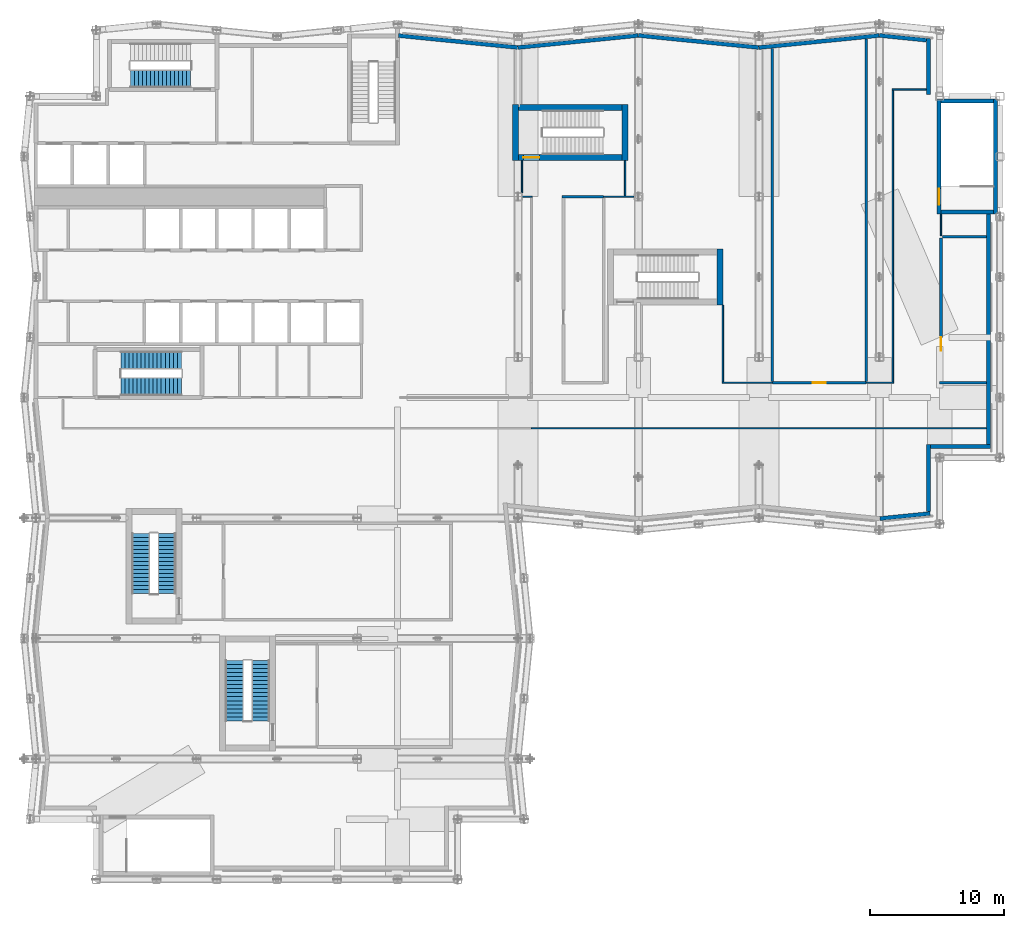
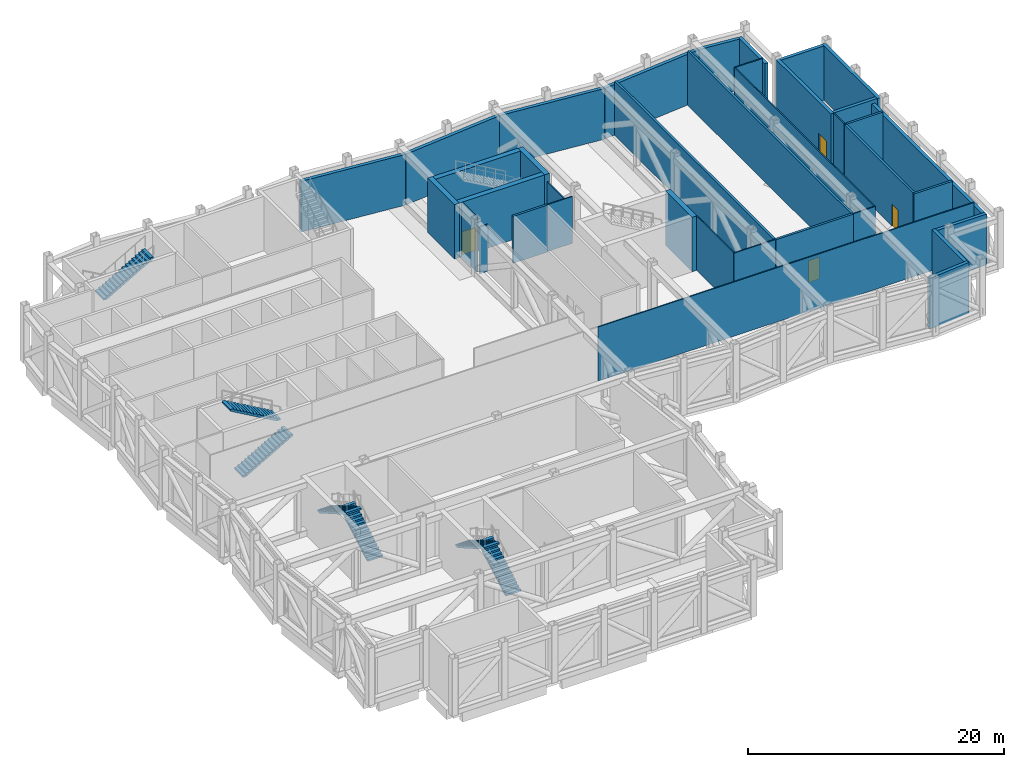
# One storey, part 12 of 22: 37 walls, 7 stair flights, 4 doors, 4 openings, 4 elements without a shape of their own.
"""IFC4 building model written with IfcOpenShell, lengths in metres."""

from ifc_helpers import new_model, si_unit, direction, frame, frame_2d, origin, place, context, subcontext, project, spatial, polyline, rectangle, outline, extrude, material, layer, layer_set, type_object, element, fill, aggregate, save


model = new_model("IFC4")

# Units and contexts
model_context = context("Model", 3, precision=1e-05, world=origin(), true_north=direction((0.0, 1.0)))
body_context = subcontext(model_context, "Body", "Model", "MODEL_VIEW")
ifc_project = project(units=[si_unit("LENGTHUNIT", "METRE"), si_unit("AREAUNIT", "SQUARE_METRE"), si_unit("VOLUMEUNIT", "CUBIC_METRE"), si_unit("PLANEANGLEUNIT", "RADIAN"), si_unit("MASSUNIT", "GRAM", prefix="KILO")], contexts=[model_context])

# Site, building, storey
site_placement = place(None, origin())
site = spatial("IfcSite", under=ifc_project, at=site_placement, CompositionType="ELEMENT")
building_placement = place(site_placement, origin())
building = spatial("IfcBuilding", under=site, at=building_placement, Name="Brondeck Convention Tower", CompositionType="ELEMENT")
storey_placement = place(building_placement, frame((0.0, 0.0, 32.0)))
storey = spatial("IfcBuildingStorey", under=building, at=storey_placement, Name="L05", CompositionType="ELEMENT", Elevation=32.0)

# Walls
ifc_material_1 = material(Name="Precast concrete C50/60 bronze finish", Category="concrete")
ifc_layer_1 = layer(ifc_material_1, 0.070068359375, Name="Bronze precast facing")
ifc_material_2 = material(Name="Mineral wool")
ifc_layer_2 = layer(ifc_material_2, 0.159912109375, Name="Insulation")
ifc_material_3 = material(Name="Concrete C35/45", Category="concrete")
ifc_layer_3 = layer(ifc_material_3, 0.070068359375, Name="Backing")
ifc_layer_set_1 = layer_set([ifc_layer_1, ifc_layer_2, ifc_layer_3], Name="External infill wall, precast concrete C50/60 bronze facing")
wall_type_1 = type_object("IfcWallType", Name="External infill wall, precast concrete C50/60 bronze facing", PredefinedType="SOLIDWALL", material=ifc_layer_set_1)
wall_1_placement = place(storey_placement, frame((66.78515625, 27.332763671875, 0.0), z_axis=(0.0, 0.0, 1.0), x_axis=(-0.995038471088, -0.099490909409, 0.0)))
element("IfcWall", 1, at=wall_1_placement, inside=storey, type_object=wall_type_1, Name="ENV-EW-L05-P0-A-S-06", PredefinedType="SOLIDWALL", context=body_context, shape_type="SweptSolid", body=[
    extrude(rectangle(XDim=3.774169921875, YDim=0.300048828125, at=frame_2d((1.88720703125, 0.0))), origin(), (0.0, 0.0, 1.0), 4.85009765625),
])
wall_2_placement = place(storey_placement, frame((66.64990234375, 32.5, 0.0), z_axis=(0.0, 0.0, 1.0), x_axis=(0.0, -1.0, 0.0)))
element("IfcWall", 2, at=wall_2_placement, inside=storey, type_object=wall_type_1, Name="ENV-EW-L05-P0-NC-SEA72-01", PredefinedType="SOLIDWALL", context=body_context, shape_type="SweptSolid", body=[
    extrude(rectangle(XDim=5.02880859375, YDim=0.300048828125, at=frame_2d((2.514404296875, 0.0))), origin(), (0.0, 0.0, 1.0), 4.85009765625),
])
wall_3_placement = place(storey_placement, frame((71.300048828125, 32.35009765625, 0.0), z_axis=(0.0, 0.0, 1.0), x_axis=(-1.0, 0.0, 0.0)))
element("IfcWall", 3, at=wall_3_placement, inside=storey, type_object=wall_type_1, Name="ENV-EW-L05-P0-NC-SEA72-02", PredefinedType="SOLIDWALL", context=body_context, shape_type="SweptSolid", body=[
    extrude(rectangle(XDim=4.5, YDim=0.300048828125, at=frame_2d((2.25, 0.0))), origin(), (0.0, 0.0, 1.0), 4.85009765625),
])
wall_4_placement = place(storey_placement, frame((71.14990234375, 49.699951171875, 0.0), z_axis=(0.0, 0.0, 1.0), x_axis=(0.0, -1.0, 0.0)))
element("IfcWall", 4, at=wall_4_placement, inside=storey, type_object=wall_type_1, Name="ENV-EW-L05-P0-A-E72-01", PredefinedType="SOLIDWALL", context=body_context, shape_type="SweptSolid", body=[
    extrude(rectangle(XDim=17.201904296875, YDim=0.300048828125, at=frame_2d((8.60107421875, 0.0))), origin(), (0.0, 0.0, 1.0), 4.85009765625),
])
wall_5_placement = place(storey_placement, frame((66.64990234375, 62.81640625, 0.0), z_axis=(0.0, 0.0, 1.0), x_axis=(0.0, -1.0, 0.0)))
element("IfcWall", 5, at=wall_5_placement, inside=storey, type_object=wall_type_1, Name="ENV-EW-L05-P0-NC-NEA72-02", PredefinedType="SOLIDWALL", context=body_context, shape_type="SweptSolid", body=[
    extrude(rectangle(XDim=4.16650390625, YDim=0.300048828125, at=frame_2d((2.083251953125, 0.0))), origin(), (0.0, 0.0, 1.0), 4.85009765625),
])
wall_6_placement = place(storey_placement, frame((62.985107421875, 63.04736328125, 0.0), z_axis=(0.0, 0.0, 1.0), x_axis=(0.995031712439, -0.099558481511, 0.0)))
element("IfcWall", 6, at=wall_6_placement, inside=storey, type_object=wall_type_1, Name="ENV-EW-L05-P0-A-N-14", PredefinedType="SOLIDWALL", context=body_context, shape_type="SweptSolid", body=[
    extrude(rectangle(XDim=3.53125, YDim=0.300048828125, at=frame_2d((1.765625, 0.0))), origin(), (0.0, 0.0, 1.0), 4.85009765625),
])
for number, where, z_axis, x_axis, name in (
    (7, (53.985107421875, 62.144287109375, 0.0), (0.0, 0.0, 1.0), (0.995037993253, 0.099495688264, 0.0), "ENV-EW-L05-P0-A-N-13"),
    (8, (44.985107421875, 63.04736328125, 0.0), (0.0, 0.0, 1.0), (0.995035316196, -0.099522457379, 0.0), "ENV-EW-L05-P0-A-N-11"),
    (9, (35.985107421875, 62.144287109375, 0.0), (0.0, 0.0, 1.0), (0.995037993253, 0.099495688264, 0.0), "ENV-EW-L05-P0-A-N-09"),
):
    element("IfcWall", number, at=place(storey_placement, frame(where, z_axis=z_axis, x_axis=x_axis)), inside=storey, type_object=wall_type_1, Name=name, PredefinedType="SOLIDWALL", context=body_context, shape_type="SweptSolid", body=[
        extrude(rectangle(XDim=9.030029296875, YDim=0.300048828125, at=frame_2d((4.51513671875, 0.0))), origin(), (0.0, 0.0, 1.0), 4.85009765625),
    ])
wall_7_placement = place(storey_placement, frame((27.064697265625, 63.039306640625, 0.0), z_axis=(0.0, 0.0, 1.0), x_axis=(0.995036379926, -0.099511821531, 0.0)))
element("IfcWall", 10, at=wall_7_placement, inside=storey, type_object=wall_type_1, Name="ENV-EW-L05-P0-A-N-07", PredefinedType="SOLIDWALL", context=body_context, shape_type="SweptSolid", body=[
    extrude(rectangle(XDim=8.949951171875, YDim=0.300048828125, at=frame_2d((4.47509765625, 0.0))), origin(), (0.0, 0.0, 1.0), 4.85009765625),
])

# Wall, opening, door
ifc_material_4 = material(Name="Concrete block wall C16/20", Category="concrete")
ifc_layer_4 = layer(ifc_material_4, 0.199951171875)
ifc_layer_set_2 = layer_set([ifc_layer_4], Name="Plant room wall 200")
wall_type_2 = type_object("IfcWallType", Name="Plant room wall 200", PredefinedType="PARTITIONING", material=ifc_layer_set_2)
wall_8_placement = place(storey_placement, frame((55.0, 37.10009765625, 0.0), z_axis=(0.0, 0.0, 1.0), x_axis=(1.0, 0.0, 0.0)))
wall_8 = element("IfcWall", 11, at=wall_8_placement, inside=storey, type_object=wall_type_2, Name="FLR-L05-W022", PredefinedType="PARTITIONING", context=body_context, shape_type="SweptSolid", body=[
    extrude(rectangle(XDim=7.0, YDim=0.199951171875, at=frame_2d((3.5, 0.0))), origin(), (0.0, 0.0, 1.0), 5.179931640625),
])
opening_1_placement = place(wall_8_placement, frame((3.0, 0.0, 0.0)))
opening_1 = element("IfcOpeningElement", 12, at=opening_1_placement, cuts=wall_8, Name="Opening P-L05-002", PredefinedType="OPENING", context=body_context, shape_type="SweptSolid", body=[
    extrude(rectangle(XDim=1.0, YDim=2.10009765625, at=frame_2d((0.5, 1.050048828125))), frame((0.0, 0.10986328125, 0.0), z_axis=(0.0, -1.0, 0.0), x_axis=(1.0, 0.0, 0.0)), (0.0, 0.0, 1.0), 0.219970703125),
])
ifc_material_5 = material(Name="Steel fire door leaf", Category="steel")
door_type_1 = type_object("IfcDoorType", Name="Plant room door 1000", OperationType="NOTDEFINED", PredefinedType="DOOR", material=ifc_material_5)
door_1_placement = place(opening_1_placement, origin())
door_1 = element("IfcDoor", 13, at=door_1_placement, inside=storey, type_object=door_type_1, Name="Door P-L05-002", OperationType="SINGLE_SWING_LEFT", OverallHeight=2.10009765625, OverallWidth=1.0, PredefinedType="DOOR", context=body_context, shape_type="SweptSolid", body=[
    extrude(rectangle(XDim=1.0, YDim=2.10009765625, at=frame_2d((0.5, 1.050048828125))), frame((0.0, 0.02490234375, 0.0), z_axis=(0.0, -1.0, 0.0), x_axis=(1.0, 0.0, 0.0)), (0.0, 0.0, 1.0), 0.050048828125),
])
fill(opening_1, door_1)

# Walls
wall_9_placement = place(storey_placement, frame((67.5, 37.10009765625, 0.0), z_axis=(0.0, 0.0, 1.0), x_axis=(1.0, 0.0, 0.0)))
element("IfcWall", 14, at=wall_9_placement, inside=storey, type_object=wall_type_2, Name="FLR-L05-W024", PredefinedType="PARTITIONING", context=body_context, shape_type="SweptSolid", body=[
    extrude(rectangle(XDim=3.47998046875, YDim=0.199951171875, at=frame_2d((1.739990234375, 0.0))), origin(), (0.0, 0.0, 1.0), 5.179931640625),
])
wall_10_placement = place(storey_placement, frame((55.0, 37.199951171875, 0.0), z_axis=(0.0, 0.0, 1.0), x_axis=(0.0, 1.0, 0.0)))
element("IfcWall", 15, at=wall_10_placement, inside=storey, type_object=wall_type_2, Name="FLR-L05-W027", PredefinedType="PARTITIONING", context=body_context, shape_type="SweptSolid", body=[
    extrude(rectangle(XDim=24.875, YDim=0.199951171875, at=frame_2d((12.4375, 0.0))), origin(), (0.0, 0.0, 1.0), 5.179931640625),
])

# Wall, opening, door
wall_11_placement = place(storey_placement, frame((67.60009765625, 47.89990234375, 0.0), z_axis=(0.0, 0.0, 1.0), x_axis=(0.0, -1.0, 0.0)))
wall_11 = element("IfcWall", 16, at=wall_11_placement, inside=storey, type_object=wall_type_2, Name="FLR-L05-W029", PredefinedType="PARTITIONING", context=body_context, shape_type="SweptSolid", body=[
    extrude(rectangle(XDim=10.699951171875, YDim=0.199951171875, at=frame_2d((5.35009765625, 0.0))), origin(), (0.0, 0.0, 1.0), 5.179931640625),
])
opening_2_placement = place(wall_11_placement, frame((7.39990234375, 0.0, 0.0)))
opening_2 = element("IfcOpeningElement", 17, at=opening_2_placement, cuts=wall_11, Name="Opening P-L05-003", PredefinedType="OPENING", context=body_context, shape_type="SweptSolid", body=[
    extrude(rectangle(XDim=1.0, YDim=2.10009765625, at=frame_2d((0.5, 1.050048828125))), frame((0.0, 0.10986328125, 0.0), z_axis=(0.0, -1.0, 0.0), x_axis=(1.0, 0.0, 0.0)), (0.0, 0.0, 1.0), 0.219970703125),
])
door_2_placement = place(opening_2_placement, origin())
door_2 = element("IfcDoor", 18, at=door_2_placement, inside=storey, type_object=door_type_1, Name="Door P-L05-003", OperationType="SINGLE_SWING_LEFT", OverallHeight=2.10009765625, OverallWidth=1.0, PredefinedType="DOOR", context=body_context, shape_type="SweptSolid", body=[
    extrude(rectangle(XDim=1.0, YDim=2.10009765625, at=frame_2d((0.5, 1.050048828125))), frame((0.0, 0.02490234375, 0.0), z_axis=(0.0, -1.0, 0.0), x_axis=(1.0, 0.0, 0.0)), (0.0, 0.0, 1.0), 0.050048828125),
])
fill(opening_2, door_2)

# Walls
wall_12_placement = place(storey_placement, frame((67.699951171875, 48.0, 0.0), z_axis=(0.0, 0.0, 1.0), x_axis=(1.0, 0.0, 0.0)))
element("IfcWall", 19, at=wall_12_placement, inside=storey, type_object=wall_type_2, Name="FLR-L05-W030", PredefinedType="PARTITIONING", context=body_context, shape_type="SweptSolid", body=[
    extrude(rectangle(XDim=3.280029296875, YDim=0.199951171875, at=frame_2d((1.64013671875, 0.0))), origin(), (0.0, 0.0, 1.0), 5.179931640625),
])
wall_13_placement = place(storey_placement, frame((42.39990234375, 51.0, 0.0), z_axis=(0.0, 0.0, 1.0), x_axis=(-1.0, 0.0, 0.0)))
element("IfcWall", 20, at=wall_13_placement, inside=storey, type_object=wall_type_2, Name="FLR-L05-W035", PredefinedType="PARTITIONING", context=body_context, shape_type="SweptSolid", body=[
    extrude(rectangle(XDim=3.099853515625, YDim=0.199951171875, at=frame_2d((1.5498046875, 0.0))), origin(), (0.0, 0.0, 1.0), 4.47998046875),
])
wall_14_placement = place(storey_placement, frame((62.0, 62.77490234375, 0.0), z_axis=(0.0, 0.0, 1.0), x_axis=(0.0, -1.0, 0.0)))
element("IfcWall", 21, at=wall_14_placement, inside=storey, type_object=wall_type_2, Name="FLR-L05-W040", PredefinedType="PARTITIONING", context=body_context, shape_type="SweptSolid", body=[
    extrude(rectangle(XDim=25.574951171875, YDim=0.199951171875, at=frame_2d((12.78759765625, 0.0))), origin(), (0.0, 0.0, 1.0), 5.179931640625),
])
ifc_material_6 = material(Name="Gypsum board partition on steel studs", Category="steel")
ifc_layer_5 = layer(ifc_material_6, 0.10009765625)
ifc_layer_set_3 = layer_set([ifc_layer_5], Name="Room partition 100")
wall_type_3 = type_object("IfcWallType", Name="Room partition 100", PredefinedType="PARTITIONING", material=ifc_layer_set_3)
wall_15_placement = place(storey_placement, frame((70.97998046875, 33.699951171875, 0.0), z_axis=(0.0, 0.0, 1.0), x_axis=(-1.0, 0.0, 0.0)))
element("IfcWall", 22, at=wall_15_placement, inside=storey, type_object=wall_type_3, Name="FLR-L05-W014", PredefinedType="PARTITIONING", context=body_context, shape_type="SweptSolid", body=[
    extrude(rectangle(XDim=33.97998046875, YDim=0.10009765625, at=frame_2d((16.989990234375, 0.0))), origin(), (0.0, 0.0, 1.0), 5.179931640625),
])
wall_16_placement = place(storey_placement, frame((51.25, 37.10009765625, 0.0), z_axis=(0.0, 0.0, 1.0), x_axis=(1.0, 0.0, 0.0)))
element("IfcWall", 23, at=wall_16_placement, inside=storey, type_object=wall_type_3, Name="FLR-L05-W021", PredefinedType="PARTITIONING", context=body_context, shape_type="SweptSolid", body=[
    extrude(rectangle(XDim=3.75, YDim=0.10009765625, at=frame_2d((1.875, 0.0))), origin(), (0.0, 0.0, 1.0), 5.179931640625),
])
wall_17_placement = place(storey_placement, frame((62.0, 37.10009765625, 0.0), z_axis=(0.0, 0.0, 1.0), x_axis=(1.0, 0.0, 0.0)))
element("IfcWall", 24, at=wall_17_placement, inside=storey, type_object=wall_type_3, Name="FLR-L05-W023", PredefinedType="PARTITIONING", context=body_context, shape_type="SweptSolid", body=[
    extrude(rectangle(XDim=2.050048828125, YDim=0.10009765625, at=frame_2d((1.02490234375, 0.0))), origin(), (0.0, 0.0, 1.0), 5.179931640625),
])
wall_18_placement = place(storey_placement, frame((64.0, 37.14990234375, 0.0), z_axis=(0.0, 0.0, 1.0), x_axis=(0.0, 1.0, 0.0)))
element("IfcWall", 25, at=wall_18_placement, inside=storey, type_object=wall_type_3, Name="FLR-L05-W026", PredefinedType="PARTITIONING", context=body_context, shape_type="SweptSolid", body=[
    extrude(rectangle(XDim=21.800048828125, YDim=0.10009765625, at=frame_2d((10.89990234375, 0.0))), origin(), (0.0, 0.0, 1.0), 5.179931640625),
])
wall_19_placement = place(storey_placement, frame((51.300048828125, 42.89990234375, 0.0), z_axis=(0.0, 0.0, 1.0), x_axis=(0.0, -1.0, 0.0)))
element("IfcWall", 26, at=wall_19_placement, inside=storey, type_object=wall_type_3, Name="FLR-L05-W028", PredefinedType="PARTITIONING", context=body_context, shape_type="SweptSolid", body=[
    extrude(rectangle(XDim=5.75, YDim=0.10009765625, at=frame_2d((2.875, 0.0))), origin(), (0.0, 0.0, 1.0), 5.179931640625),
])
wall_20_placement = place(storey_placement, frame((67.60009765625, 49.699951171875, 0.0), z_axis=(0.0, 0.0, 1.0), x_axis=(0.0, -1.0, 0.0)))
element("IfcWall", 27, at=wall_20_placement, inside=storey, type_object=wall_type_3, Name="FLR-L05-W031", PredefinedType="PARTITIONING", context=body_context, shape_type="SweptSolid", body=[
    extrude(rectangle(XDim=1.599853515625, YDim=0.10009765625, at=frame_2d((0.7998046875, 0.0))), origin(), (0.0, 0.0, 1.0), 5.179931640625),
])
wall_21_placement = place(storey_placement, frame((37.050048828125, 51.0, 0.0), z_axis=(0.0, 0.0, 1.0), x_axis=(-1.0, 0.0, 0.0)))
element("IfcWall", 28, at=wall_21_placement, inside=storey, type_object=wall_type_3, Name="FLR-L05-W034", PredefinedType="PARTITIONING", context=body_context, shape_type="SweptSolid", body=[
    extrude(rectangle(XDim=0.7451171875, YDim=0.10009765625, at=frame_2d((0.37255859375, 0.0))), origin(), (0.0, 0.0, 1.0), 4.47998046875),
])
wall_22_placement = place(storey_placement, frame((44.679931640625, 51.0, 0.0), z_axis=(0.0, 0.0, 1.0), x_axis=(-1.0, 0.0, 0.0)))
element("IfcWall", 29, at=wall_22_placement, inside=storey, type_object=wall_type_3, Name="FLR-L05-W036", PredefinedType="PARTITIONING", context=body_context, shape_type="SweptSolid", body=[
    extrude(rectangle(XDim=2.280029296875, YDim=0.10009765625, at=frame_2d((1.14013671875, 0.0))), origin(), (0.0, 0.0, 1.0), 4.47998046875),
])
wall_23_placement = place(storey_placement, frame((36.300048828125, 51.304931640625, 0.0), z_axis=(0.0, 0.0, 1.0), x_axis=(0.0, 1.0, 0.0)))
element("IfcWall", 30, at=wall_23_placement, inside=storey, type_object=wall_type_3, Name="FLR-L05-W037", PredefinedType="PARTITIONING", context=body_context, shape_type="SweptSolid", body=[
    extrude(rectangle(XDim=2.39501953125, YDim=0.10009765625, at=frame_2d((1.197509765625, 0.0))), origin(), (0.0, 0.0, 1.0), 5.179931640625),
])
wall_24_placement = place(storey_placement, frame((44.0, 53.699951171875, 0.0), z_axis=(0.0, 0.0, 1.0), x_axis=(0.0, -1.0, 0.0)))
element("IfcWall", 31, at=wall_24_placement, inside=storey, type_object=wall_type_3, Name="FLR-L05-W038", PredefinedType="PARTITIONING", context=body_context, shape_type="SweptSolid", body=[
    extrude(rectangle(XDim=2.64990234375, YDim=0.10009765625, at=frame_2d((1.324951171875, 0.0))), origin(), (0.0, 0.0, 1.0), 4.47998046875),
])
wall_25_placement = place(storey_placement, frame((63.949951171875, 59.0, 0.0), z_axis=(0.0, 0.0, 1.0), x_axis=(1.0, 0.0, 0.0)))
element("IfcWall", 32, at=wall_25_placement, inside=storey, type_object=wall_type_3, Name="FLR-L05-W039", PredefinedType="PARTITIONING", context=body_context, shape_type="SweptSolid", body=[
    extrude(rectangle(XDim=2.530029296875, YDim=0.10009765625, at=frame_2d((1.26513671875, 0.0))), origin(), (0.0, 0.0, 1.0), 5.179931640625),
])
ifc_material_7 = material(Name="Concrete C50/60", Category="concrete")
ifc_layer_6 = layer(ifc_material_7, 0.300048828125)
ifc_layer_set_4 = layer_set([ifc_layer_6], Name="Stair enclosure bearing wall 300 Concrete C50/60")
wall_type_4 = type_object("IfcWallType", Name="Stair enclosure bearing wall 300 Concrete C50/60", PredefinedType="SHEAR", material=ifc_layer_set_4)
for number, where, z_axis, x_axis, name in (
    (33, (67.60009765625, 49.85009765625, 0.0), (0.0, 0.0, 1.0), (1.0, 0.0, 0.0), "L05 core wall"),
    (34, (67.60009765625, 58.14990234375, 0.0), (0.0, 0.0, 1.0), (1.0, 0.0, 0.0), "L05 core wall"),
):
    element("IfcWall", number, at=place(storey_placement, frame(where, z_axis=z_axis, x_axis=x_axis)), inside=storey, type_object=wall_type_4, Name=name, PredefinedType="SHEAR", context=body_context, shape_type="SweptSolid", body=[
        extrude(rectangle(XDim=3.89990234375, YDim=0.300048828125, at=frame_2d((1.949951171875, 0.0))), origin(), (0.0, 0.0, 1.0), 5.199951171875),
    ])

# Wall, opening, door
wall_26_placement = place(storey_placement, frame((67.449951171875, 49.699951171875, 0.0), z_axis=(0.0, 0.0, 1.0), x_axis=(0.0, 1.0, 0.0)))
wall_26 = element("IfcWall", 35, at=wall_26_placement, inside=storey, type_object=wall_type_4, Name="L05 core wall", PredefinedType="SHEAR", context=body_context, shape_type="SweptSolid", body=[
    extrude(rectangle(XDim=8.60009765625, YDim=0.300048828125, at=frame_2d((4.300048828125, 0.0))), origin(), (0.0, 0.0, 1.0), 5.199951171875),
])
opening_3_placement = place(wall_26_placement, frame((0.699951171875, 0.0, 0.0)))
opening_3 = element("IfcOpeningElement", 36, at=opening_3_placement, cuts=wall_26, Name="Opening C07-14", PredefinedType="OPENING", context=body_context, shape_type="SweptSolid", body=[
    extrude(rectangle(XDim=1.199951171875, YDim=2.199951171875, at=frame_2d((0.60009765625, 1.10009765625))), frame((0.0, 0.159912109375, 0.0), z_axis=(0.0, -1.0, 0.0), x_axis=(1.0, 0.0, 0.0)), (0.0, 0.0, 1.0), 0.320068359375),
])
ifc_material_8 = material(Name="Steel fire door", Category="steel")
door_type_2 = type_object("IfcDoorType", Name="Stair door 1200x2200 EI 90", OperationType="NOTDEFINED", PredefinedType="DOOR", material=ifc_material_8)
door_3_placement = place(opening_3_placement, origin())
door_3 = element("IfcDoor", 37, at=door_3_placement, inside=storey, type_object=door_type_2, Name="L05 Stair door PS-1", OperationType="SINGLE_SWING_RIGHT", OverallHeight=2.199951171875, OverallWidth=1.199951171875, PredefinedType="DOOR", context=body_context, shape_type="SweptSolid", body=[
    extrude(rectangle(XDim=1.199951171875, YDim=2.199951171875, at=frame_2d((0.60009765625, 1.10009765625))), frame((0.0, 0.02490234375, 0.0), z_axis=(0.0, -1.0, 0.0), x_axis=(1.0, 0.0, 0.0)), (0.0, 0.0, 1.0), 0.050048828125),
])
fill(opening_3, door_3)

# Wall
wall_27_placement = place(storey_placement, frame((71.64990234375, 49.699951171875, 0.0), z_axis=(0.0, 0.0, 1.0), x_axis=(0.0, 1.0, 0.0)))
element("IfcWall", 38, at=wall_27_placement, inside=storey, type_object=wall_type_4, Name="L05 core wall", PredefinedType="SHEAR", context=body_context, shape_type="SweptSolid", body=[
    extrude(rectangle(XDim=8.60009765625, YDim=0.300048828125, at=frame_2d((4.300048828125, 0.0))), origin(), (0.0, 0.0, 1.0), 5.199951171875),
])

# Wall, opening, door
ifc_layer_7 = layer(ifc_material_7, 0.449951171875)
ifc_layer_set_5 = layer_set([ifc_layer_7], Name="Stair enclosure bearing wall 450 Concrete C50/60")
wall_type_5 = type_object("IfcWallType", Name="Stair enclosure bearing wall 450 Concrete C50/60", PredefinedType="SHEAR", material=ifc_layer_set_5)
wall_28_placement = place(storey_placement, frame((36.050048828125, 53.925048828125, 0.0), z_axis=(0.0, 0.0, 1.0), x_axis=(1.0, 0.0, 0.0)))
wall_28 = element("IfcWall", 39, at=wall_28_placement, inside=storey, type_object=wall_type_5, Name="L05 core wall", PredefinedType="SHEAR", context=body_context, shape_type="SweptSolid", body=[
    extrude(rectangle(XDim=7.699951171875, YDim=0.449951171875, at=frame_2d((3.85009765625, 0.0))), origin(), (0.0, 0.0, 1.0), 5.199951171875),
])
opening_4_placement = place(wall_28_placement, frame((0.35009765625, 0.0, 0.0)))
opening_4 = element("IfcOpeningElement", 40, at=opening_4_placement, cuts=wall_28, Name="Opening C07-19", PredefinedType="OPENING", context=body_context, shape_type="SweptSolid", body=[
    extrude(rectangle(XDim=1.199951171875, YDim=2.199951171875, at=frame_2d((0.60009765625, 1.10009765625))), frame((0.0, 0.23486328125, 0.0), z_axis=(0.0, -1.0, 0.0), x_axis=(1.0, 0.0, 0.0)), (0.0, 0.0, 1.0), 0.469970703125),
])
door_4_placement = place(opening_4_placement, origin())
door_4 = element("IfcDoor", 41, at=door_4_placement, inside=storey, type_object=door_type_2, Name="L05 Stair door ST-AE", OperationType="SINGLE_SWING_LEFT", OverallHeight=2.199951171875, OverallWidth=1.199951171875, PredefinedType="DOOR", context=body_context, shape_type="SweptSolid", body=[
    extrude(rectangle(XDim=1.199951171875, YDim=2.199951171875, at=frame_2d((0.60009765625, 1.10009765625))), frame((0.0, 0.02490234375, 0.0), z_axis=(0.0, -1.0, 0.0), x_axis=(1.0, 0.0, 0.0)), (0.0, 0.0, 1.0), 0.050048828125),
])
fill(opening_4, door_4)

# Walls
wall_29_placement = place(storey_placement, frame((36.050048828125, 57.675048828125, 0.0), z_axis=(0.0, 0.0, 1.0), x_axis=(1.0, 0.0, 0.0)))
element("IfcWall", 42, at=wall_29_placement, inside=storey, type_object=wall_type_5, Name="L05 core wall", PredefinedType="SHEAR", context=body_context, shape_type="SweptSolid", body=[
    extrude(rectangle(XDim=7.699951171875, YDim=0.449951171875, at=frame_2d((3.85009765625, 0.0))), origin(), (0.0, 0.0, 1.0), 5.199951171875),
])
for number, where, z_axis, x_axis, name in (
    (43, (35.824951171875, 53.699951171875, 0.0), (0.0, 0.0, 1.0), (0.0, 1.0, 0.0), "L05 core wall"),
    (44, (43.97509765625, 53.699951171875, 0.0), (0.0, 0.0, 1.0), (0.0, 1.0, 0.0), "L05 core wall"),
):
    element("IfcWall", number, at=place(storey_placement, frame(where, z_axis=z_axis, x_axis=x_axis)), inside=storey, type_object=wall_type_5, Name=name, PredefinedType="SHEAR", context=body_context, shape_type="SweptSolid", body=[
        extrude(rectangle(XDim=4.199951171875, YDim=0.449951171875, at=frame_2d((2.10009765625, 0.0))), origin(), (0.0, 0.0, 1.0), 5.199951171875),
    ])
wall_30_placement = place(storey_placement, frame((51.074951171875, 42.89990234375, 0.0), z_axis=(0.0, 0.0, 1.0), x_axis=(0.0, 1.0, 0.0)))
element("IfcWall", 45, at=wall_30_placement, inside=storey, type_object=wall_type_5, Name="L05 core wall", PredefinedType="SHEAR", context=body_context, shape_type="SweptSolid", body=[
    extrude(rectangle(XDim=4.2001953125, YDim=0.449951171875, at=frame_2d((2.10009765625, 0.0))), origin(), (0.0, 0.0, 1.0), 5.199951171875),
])

# Stair, stair flights
ifc_material_9 = material(Name="Precast concrete C50/60", Category="concrete")
stair_type = type_object("IfcStairType", Name="Core stair 32 risers 171.88 mm riser 300 mm going 1350 wide", PredefinedType="HALF_TURN_STAIR", material=ifc_material_9)
stair_1_placement = place(storey_placement, origin())
stair_1 = element("IfcStair", 46, at=stair_1_placement, inside=storey, type_object=stair_type, Name="ST-1 L05 stair", PredefinedType="HALF_TURN_STAIR")
stair_flight_type = type_object("IfcStairFlightType", Name="Core stair flight 32 risers 171.88 mm riser 300 mm going 1350 wide", PredefinedType="STRAIGHT", material=ifc_material_9)
stair_flight_1_placement = place(storey_placement, frame((6.35009765625, 36.824951171875, 0.0), z_axis=(0.0, 0.0, 1.0), x_axis=(1.0, 0.0, 0.0)))
stair_flight_1 = element("IfcStairFlight", 47, at=stair_flight_1_placement, type_object=stair_flight_type, Name="ST-1 flight 1", NumberOfRisers=16, NumberOfTreads=15, PredefinedType="STRAIGHT", RiserHeight=0.171875, TreadLength=0.3, context=body_context, shape_type="SweptSolid", body=[
    extrude(outline(polyline([(0.0, 0.0), (0.0, 0.171875), (0.300048828125, 0.171875), (0.300048828125, 0.34375), (0.60009765625, 0.34375), (0.60009765625, 0.515625), (0.89990234375, 0.515625), (0.89990234375, 0.6875), (1.199951171875, 0.6875), (1.199951171875, 0.859375), (1.5, 0.859375), (1.5, 1.03125), (1.800048828125, 1.03125), (1.800048828125, 1.203125), (2.10009765625, 1.203125), (2.10009765625, 1.375), (2.39990234375, 1.375), (2.39990234375, 1.546875), (2.699951171875, 1.546875), (2.699951171875, 1.71875), (3.0, 1.71875), (3.0, 1.890625), (3.300048828125, 1.890625), (3.300048828125, 2.0625), (3.60009765625, 2.0625), (3.60009765625, 2.234375), (3.89990234375, 2.234375), (3.89990234375, 2.40625), (4.199951171875, 2.40625), (4.199951171875, 2.578125), (4.5, 2.578125), (4.5, 2.75), (4.5, 2.4052734375), (0.301513671875, 0.0), (0.0, 0.0)])), frame((0.0, 0.675048828125, 0.0), z_axis=(0.0, -1.0, 0.0), x_axis=(1.0, 0.0, 0.0)), (0.0, 0.0, 1.0), 1.35009765625),
])
stair_flight_2_placement = place(storey_placement, frame((10.85009765625, 38.77490234375, 2.75), z_axis=(0.0, 0.0, 1.0), x_axis=(-1.0, 0.0, 0.0)))
stair_flight_2 = element("IfcStairFlight", 48, at=stair_flight_2_placement, type_object=stair_flight_type, Name="ST-1 flight 2", NumberOfRisers=16, NumberOfTreads=15, PredefinedType="STRAIGHT", RiserHeight=0.171875, TreadLength=0.3, context=body_context, shape_type="SweptSolid", body=[
    extrude(outline(polyline([(0.0, 0.0), (0.0, 0.171875), (0.300048828125, 0.171875), (0.300048828125, 0.34375), (0.60009765625, 0.34375), (0.60009765625, 0.515625), (0.89990234375, 0.515625), (0.89990234375, 0.6875), (1.199951171875, 0.6875), (1.199951171875, 0.859375), (1.5, 0.859375), (1.5, 1.03125), (1.800048828125, 1.03125), (1.800048828125, 1.203125), (2.10009765625, 1.203125), (2.10009765625, 1.375), (2.39990234375, 1.375), (2.39990234375, 1.546875), (2.699951171875, 1.546875), (2.699951171875, 1.71875), (3.0, 1.71875), (3.0, 1.890625), (3.300048828125, 1.890625), (3.300048828125, 2.0625), (3.60009765625, 2.0625), (3.60009765625, 2.234375), (3.89990234375, 2.234375), (3.89990234375, 2.40625), (4.199951171875, 2.40625), (4.199951171875, 2.578125), (4.5, 2.578125), (4.5, 2.75), (4.5, 2.4052734375), (0.301513671875, 0.0), (0.0, 0.0)])), frame((0.0, 0.675048828125, 0.0), z_axis=(0.0, -1.0, 0.0), x_axis=(1.0, 0.0, 0.0)), (0.0, 0.0, 1.0), 1.35009765625),
])
aggregate(stair_1, [stair_flight_1, stair_flight_2])

# Stair, stair flight
stair_2_placement = place(storey_placement, origin())
stair_2 = element("IfcStair", 49, at=stair_2_placement, inside=storey, type_object=stair_type, Name="ST-3 L05 stair", PredefinedType="HALF_TURN_STAIR")
stair_flight_3_placement = place(storey_placement, frame((7.050048828125, 59.824951171875, 2.75), z_axis=(0.0, 0.0, 1.0), x_axis=(1.0, 0.0, 0.0)))
stair_flight_3 = element("IfcStairFlight", 50, at=stair_flight_3_placement, type_object=stair_flight_type, Name="ST-3 flight 2", NumberOfRisers=16, NumberOfTreads=15, PredefinedType="STRAIGHT", RiserHeight=0.171875, TreadLength=0.3, context=body_context, shape_type="SweptSolid", body=[
    extrude(outline(polyline([(0.0, 0.0), (0.0, 0.171875), (0.300048828125, 0.171875), (0.300048828125, 0.34375), (0.60009765625, 0.34375), (0.60009765625, 0.515625), (0.89990234375, 0.515625), (0.89990234375, 0.6875), (1.199951171875, 0.6875), (1.199951171875, 0.859375), (1.5, 0.859375), (1.5, 1.03125), (1.800048828125, 1.03125), (1.800048828125, 1.203125), (2.10009765625, 1.203125), (2.10009765625, 1.375), (2.39990234375, 1.375), (2.39990234375, 1.546875), (2.699951171875, 1.546875), (2.699951171875, 1.71875), (3.0, 1.71875), (3.0, 1.890625), (3.300048828125, 1.890625), (3.300048828125, 2.0625), (3.60009765625, 2.0625), (3.60009765625, 2.234375), (3.89990234375, 2.234375), (3.89990234375, 2.40625), (4.199951171875, 2.40625), (4.199951171875, 2.578125), (4.5, 2.578125), (4.5, 2.75), (4.5, 2.4052734375), (0.301513671875, 0.0), (0.0, 0.0)])), frame((0.0, 0.675048828125, 0.0), z_axis=(0.0, -1.0, 0.0), x_axis=(1.0, 0.0, 0.0)), (0.0, 0.0, 1.0), 1.35009765625),
])
aggregate(stair_2, [stair_flight_3])

# Stair, stair flights
stair_3_placement = place(storey_placement, origin())
stair_3 = element("IfcStair", 51, at=stair_3_placement, inside=storey, type_object=stair_type, Name="ST-BE L05 stair", PredefinedType="HALF_TURN_STAIR")
stair_flight_4_placement = place(storey_placement, frame((9.77490234375, 21.35009765625, 0.0), z_axis=(0.0, 0.0, 1.0), x_axis=(0.0, 1.0, 0.0)))
stair_flight_4 = element("IfcStairFlight", 52, at=stair_flight_4_placement, type_object=stair_flight_type, Name="ST-BE flight 1", NumberOfRisers=16, NumberOfTreads=15, PredefinedType="STRAIGHT", RiserHeight=0.171875, TreadLength=0.3, context=body_context, shape_type="SweptSolid", body=[
    extrude(outline(polyline([(0.0, 0.0), (0.0, 0.171875), (0.300048828125, 0.171875), (0.300048828125, 0.34375), (0.60009765625, 0.34375), (0.60009765625, 0.515625), (0.89990234375, 0.515625), (0.89990234375, 0.6875), (1.199951171875, 0.6875), (1.199951171875, 0.859375), (1.5, 0.859375), (1.5, 1.03125), (1.800048828125, 1.03125), (1.800048828125, 1.203125), (2.10009765625, 1.203125), (2.10009765625, 1.375), (2.39990234375, 1.375), (2.39990234375, 1.546875), (2.699951171875, 1.546875), (2.699951171875, 1.71875), (3.0, 1.71875), (3.0, 1.890625), (3.300048828125, 1.890625), (3.300048828125, 2.0625), (3.60009765625, 2.0625), (3.60009765625, 2.234375), (3.89990234375, 2.234375), (3.89990234375, 2.40625), (4.199951171875, 2.40625), (4.199951171875, 2.578125), (4.5, 2.578125), (4.5, 2.75), (4.5, 2.4052734375), (0.301513671875, 0.0), (0.0, 0.0)])), frame((0.0, 0.675048828125, 0.0), z_axis=(0.0, -1.0, 0.0), x_axis=(1.0, 0.0, 0.0)), (0.0, 0.0, 1.0), 1.35009765625),
])
stair_flight_5_placement = place(storey_placement, frame((7.824951171875, 25.85009765625, 2.75), z_axis=(0.0, 0.0, 1.0), x_axis=(0.0, -1.0, 0.0)))
stair_flight_5 = element("IfcStairFlight", 53, at=stair_flight_5_placement, type_object=stair_flight_type, Name="ST-BE flight 2", NumberOfRisers=16, NumberOfTreads=15, PredefinedType="STRAIGHT", RiserHeight=0.171875, TreadLength=0.3, context=body_context, shape_type="SweptSolid", body=[
    extrude(outline(polyline([(0.0, 0.0), (0.0, 0.171875), (0.300048828125, 0.171875), (0.300048828125, 0.34375), (0.60009765625, 0.34375), (0.60009765625, 0.515625), (0.89990234375, 0.515625), (0.89990234375, 0.6875), (1.199951171875, 0.6875), (1.199951171875, 0.859375), (1.5, 0.859375), (1.5, 1.03125), (1.800048828125, 1.03125), (1.800048828125, 1.203125), (2.10009765625, 1.203125), (2.10009765625, 1.375), (2.39990234375, 1.375), (2.39990234375, 1.546875), (2.699951171875, 1.546875), (2.699951171875, 1.71875), (3.0, 1.71875), (3.0, 1.890625), (3.300048828125, 1.890625), (3.300048828125, 2.0625), (3.60009765625, 2.0625), (3.60009765625, 2.234375), (3.89990234375, 2.234375), (3.89990234375, 2.40625), (4.199951171875, 2.40625), (4.199951171875, 2.578125), (4.5, 2.578125), (4.5, 2.75), (4.5, 2.4052734375), (0.301513671875, 0.0), (0.0, 0.0)])), frame((0.0, 0.675048828125, 0.0), z_axis=(0.0, -1.0, 0.0), x_axis=(1.0, 0.0, 0.0)), (0.0, 0.0, 1.0), 1.35009765625),
])
aggregate(stair_3, [stair_flight_4, stair_flight_5])

stair_4_placement = place(storey_placement, origin())
stair_4 = element("IfcStair", 54, at=stair_4_placement, inside=storey, type_object=stair_type, Name="ST-BF L05 stair", PredefinedType="HALF_TURN_STAIR")
stair_flight_6_placement = place(storey_placement, frame((16.77490234375, 11.85009765625, 0.0), z_axis=(0.0, 0.0, 1.0), x_axis=(0.0, 1.0, 0.0)))
stair_flight_6 = element("IfcStairFlight", 55, at=stair_flight_6_placement, type_object=stair_flight_type, Name="ST-BF flight 1", NumberOfRisers=16, NumberOfTreads=15, PredefinedType="STRAIGHT", RiserHeight=0.171875, TreadLength=0.3, context=body_context, shape_type="SweptSolid", body=[
    extrude(outline(polyline([(0.0, 0.0), (0.0, 0.171875), (0.300048828125, 0.171875), (0.300048828125, 0.34375), (0.60009765625, 0.34375), (0.60009765625, 0.515625), (0.89990234375, 0.515625), (0.89990234375, 0.6875), (1.199951171875, 0.6875), (1.199951171875, 0.859375), (1.5, 0.859375), (1.5, 1.03125), (1.800048828125, 1.03125), (1.800048828125, 1.203125), (2.10009765625, 1.203125), (2.10009765625, 1.375), (2.39990234375, 1.375), (2.39990234375, 1.546875), (2.699951171875, 1.546875), (2.699951171875, 1.71875), (3.0, 1.71875), (3.0, 1.890625), (3.300048828125, 1.890625), (3.300048828125, 2.0625), (3.60009765625, 2.0625), (3.60009765625, 2.234375), (3.89990234375, 2.234375), (3.89990234375, 2.40625), (4.199951171875, 2.40625), (4.199951171875, 2.578125), (4.5, 2.578125), (4.5, 2.75), (4.5, 2.4052734375), (0.301513671875, 0.0), (0.0, 0.0)])), frame((0.0, 0.675048828125, 0.0), z_axis=(0.0, -1.0, 0.0), x_axis=(1.0, 0.0, 0.0)), (0.0, 0.0, 1.0), 1.35009765625),
])
stair_flight_7_placement = place(storey_placement, frame((14.824951171875, 16.35009765625, 2.75), z_axis=(0.0, 0.0, 1.0), x_axis=(0.0, -1.0, 0.0)))
stair_flight_7 = element("IfcStairFlight", 56, at=stair_flight_7_placement, type_object=stair_flight_type, Name="ST-BF flight 2", NumberOfRisers=16, NumberOfTreads=15, PredefinedType="STRAIGHT", RiserHeight=0.171875, TreadLength=0.3, context=body_context, shape_type="SweptSolid", body=[
    extrude(outline(polyline([(0.0, 0.0), (0.0, 0.171875), (0.300048828125, 0.171875), (0.300048828125, 0.34375), (0.60009765625, 0.34375), (0.60009765625, 0.515625), (0.89990234375, 0.515625), (0.89990234375, 0.6875), (1.199951171875, 0.6875), (1.199951171875, 0.859375), (1.5, 0.859375), (1.5, 1.03125), (1.800048828125, 1.03125), (1.800048828125, 1.203125), (2.10009765625, 1.203125), (2.10009765625, 1.375), (2.39990234375, 1.375), (2.39990234375, 1.546875), (2.699951171875, 1.546875), (2.699951171875, 1.71875), (3.0, 1.71875), (3.0, 1.890625), (3.300048828125, 1.890625), (3.300048828125, 2.0625), (3.60009765625, 2.0625), (3.60009765625, 2.234375), (3.89990234375, 2.234375), (3.89990234375, 2.40625), (4.199951171875, 2.40625), (4.199951171875, 2.578125), (4.5, 2.578125), (4.5, 2.75), (4.5, 2.4052734375), (0.301513671875, 0.0), (0.0, 0.0)])), frame((0.0, 0.675048828125, 0.0), z_axis=(0.0, -1.0, 0.0), x_axis=(1.0, 0.0, 0.0)), (0.0, 0.0, 1.0), 1.35009765625),
])
aggregate(stair_4, [stair_flight_6, stair_flight_7])

save(model, "model.ifc")
